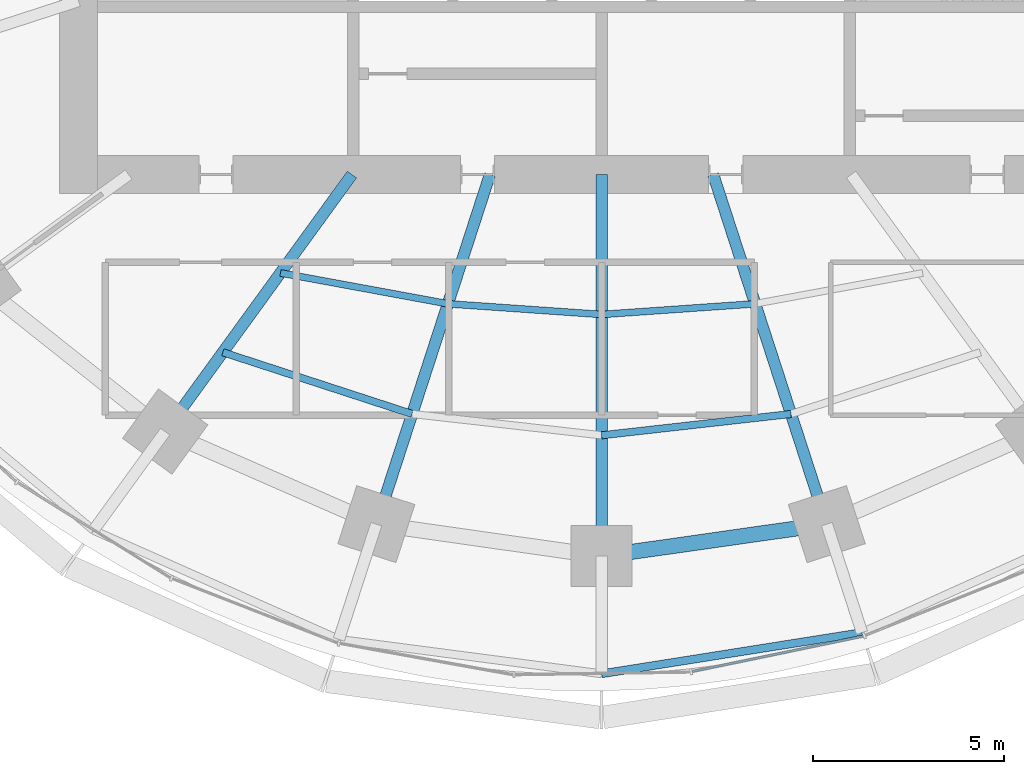
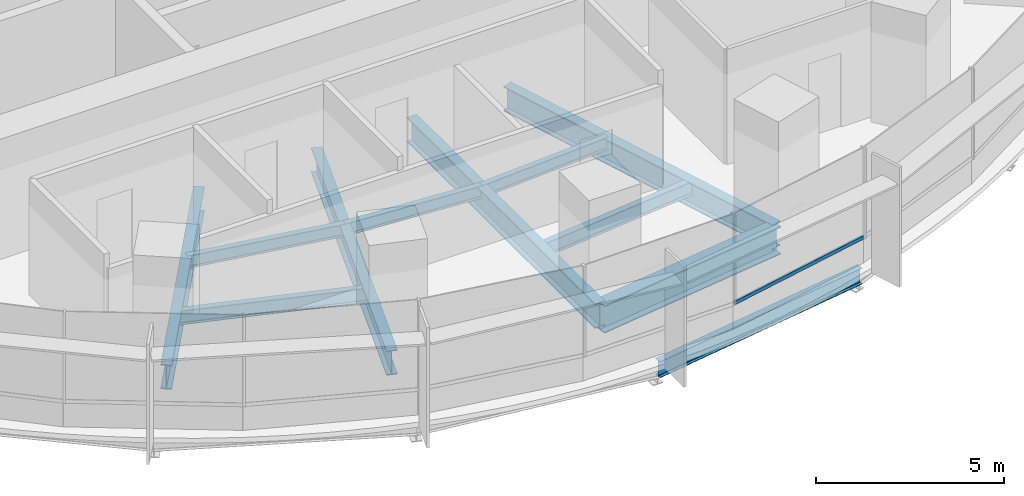
# One storey, part 3 of 14: 11 beams, 1 member, 1 element without a shape of its own.
"""IFC4 building model written with IfcOpenShell, lengths in metres."""

from ifc_helpers import new_model, si_unit, direction, frame, origin, origin_2d, place, context, subcontext, project, spatial, rectangle, i_section, extrude, material, material_profile, profile_set, type_object, element, aggregate, save


model = new_model("IFC4")

# Units and contexts
model_context = context("Model", 3, precision=1e-05, world=origin(), true_north=direction((0.0, 1.0)))
body_context = subcontext(model_context, "Body", "Model", "MODEL_VIEW")
ifc_project = project(units=[si_unit("LENGTHUNIT", "METRE"), si_unit("AREAUNIT", "SQUARE_METRE"), si_unit("VOLUMEUNIT", "CUBIC_METRE"), si_unit("PLANEANGLEUNIT", "RADIAN"), si_unit("MASSUNIT", "GRAM", prefix="KILO")], contexts=[model_context])

# Site, building, storey
site_placement = place(None, origin())
site = spatial("IfcSite", under=ifc_project, at=site_placement, CompositionType="ELEMENT")
building_placement = place(site_placement, origin())
building = spatial("IfcBuilding", under=site, at=building_placement, Name="Marramba Exchange Tower", CompositionType="ELEMENT")
storey_placement = place(building_placement, frame((0.0, 0.0, 143.10009765625)))
storey = spatial("IfcBuildingStorey", under=building, at=storey_placement, Name="L34", CompositionType="ELEMENT", Elevation=143.10009765625)

# Beams
ifc_material_1 = material(Name="Steel AS/NZS 3679.1 grade 300", Category="steel")
ifc_material_profile_1 = material_profile(ifc_material_1, i_section(OverallWidth=0.177978515625, OverallDepth=0.406005859375, WebThickness=0.0078125, FlangeThickness=0.0126953125, FilletRadius=0.011474609375, at=origin_2d()), Name="410UB59.7")
ifc_profile_set_1 = profile_set([ifc_material_profile_1], Name="Steel AS/NZS 3679.1 grade 300")
beam_type_1 = type_object("IfcBeamType", Name="Floor joist 410UB59.7", PredefinedType="JOIST", material=ifc_profile_set_1)
beam_1_placement = place(storey_placement, frame((-8.41162109375, -11.57763671875, -0.363037109375), z_axis=(0.983455754421, -0.181148500119, 0.0), x_axis=(0.181148500119, 0.983455754421, 0.0)))
element("IfcBeam", 1, at=beam_1_placement, inside=storey, type_object=beam_type_1, Name="Joist L34 bay 14 row 1", PredefinedType="JOIST", context=body_context, shape_type="SweptSolid", body=[
    extrude(i_section(OverallWidth=0.177978515625, OverallDepth=0.406005859375, WebThickness=0.0078125, FlangeThickness=0.0126953125, FilletRadius=0.011474609375, at=origin_2d()), origin(), (0.0, 0.0, 1.0), 4.4609375),
])
for number, where, z_axis, x_axis, name in (
    (2, (-4.0244140625, -12.3857421875, -0.363037109375), (0.99759625901, -0.069294328838, 0.0), (0.069294328838, 0.99759625901, 0.0), "Joist L34 bay 15 row 1"),
    (3, (0.0, -12.665283203125, -0.363037109375), (0.99759625901, 0.069294328838, 0.0), (-0.069294328838, 0.99759625901, 0.0), "Joist L34 bay 16 row 1"),
):
    element("IfcBeam", number, at=place(storey_placement, frame(where, z_axis=z_axis, x_axis=x_axis)), inside=storey, type_object=beam_type_1, Name=name, PredefinedType="JOIST", context=body_context, shape_type="SweptSolid", body=[
        extrude(i_section(OverallWidth=0.177978515625, OverallDepth=0.406005859375, WebThickness=0.0078125, FlangeThickness=0.0126953125, FilletRadius=0.011474609375, at=origin_2d()), origin(), (0.0, 0.0, 1.0), 4.0341796875),
    ])
ifc_material_profile_2 = material_profile(ifc_material_1, i_section(OverallWidth=0.18994140625, OverallDepth=0.4541015625, WebThickness=0.008544921875, FlangeThickness=0.0126953125, FilletRadius=0.011474609375, at=origin_2d()), Name="460UB67.1")
ifc_profile_set_2 = profile_set([ifc_material_profile_2], Name="Steel AS/NZS 3679.1 grade 300")
beam_type_2 = type_object("IfcBeamType", Name="Floor joist 460UB67.1", PredefinedType="JOIST", material=ifc_profile_set_2)
beam_2_placement = place(storey_placement, frame((-9.9208984375, -13.655029296875, -0.38720703125), z_axis=(0.950764024931, -0.309915744834, 0.0), x_axis=(0.309915744834, 0.950764024931, 0.0)))
element("IfcBeam", 4, at=beam_2_placement, inside=storey, type_object=beam_type_2, Name="Joist L34 bay 14 row 2", PredefinedType="JOIST", context=body_context, shape_type="SweptSolid", body=[
    extrude(i_section(OverallWidth=0.18994140625, OverallDepth=0.4541015625, WebThickness=0.008544921875, FlangeThickness=0.0126953125, FilletRadius=0.011474609375, at=origin_2d()), origin(), (0.0, 0.0, 1.0), 5.2158203125),
])
beam_3_placement = place(storey_placement, frame((0.0, -15.83056640625, -0.38720703125), z_axis=(0.993712018573, 0.111966174106, 0.0), x_axis=(-0.111966174106, 0.993712018573, 0.0)))
element("IfcBeam", 5, at=beam_3_placement, inside=storey, type_object=beam_type_2, Name="Joist L34 bay 16 row 2", PredefinedType="JOIST", context=body_context, shape_type="SweptSolid", body=[
    extrude(i_section(OverallWidth=0.18994140625, OverallDepth=0.4541015625, WebThickness=0.008544921875, FlangeThickness=0.0126953125, FilletRadius=0.011474609375, at=origin_2d()), origin(), (0.0, 0.0, 1.0), 4.993408203125),
])

# Curtain wall, member
ifc_material_2 = material(Name="Aluminium framing, bronze anodised", Category="aluminium")
curtain_wall_type = type_object("IfcCurtainWallType", Name="Office ribbon curtain wall", PredefinedType="USERDEFINED", material=ifc_material_2)
curtain_wall_placement = place(storey_placement, origin())
curtain_wall = element("IfcCurtainWall", 6, at=curtain_wall_placement, inside=storey, type_object=curtain_wall_type, Name="Curtain wall CW4 L34 F21-F25", ObjectType="RIBBON CURTAIN WALL", PredefinedType="USERDEFINED")
ifc_material_3 = material(Name="Aluminium transom, bronze anodised", Category="aluminium")
ifc_material_profile_3 = material_profile(ifc_material_3, rectangle(XDim=0.06005859375, YDim=0.1201171875, at=origin_2d()), Name="CW4 transom 60x120")
ifc_profile_set_3 = profile_set([ifc_material_profile_3], Name="Aluminium transom, bronze anodised")
member_type = type_object("IfcMemberType", Name="Office ribbon curtain wall transom", PredefinedType="USERDEFINED", material=ifc_profile_set_3)
member_placement = place(storey_placement, frame((2.374267578125, -22.017822265625, 0.829833984375), z_axis=(0.979310422034, 0.202363774661, 0.0), x_axis=(-0.202363774661, 0.979310422034, 0.0)))
member = element("IfcMember", 7, at=member_placement, type_object=member_type, Name="CW4 sill transom", ObjectType="TRANSOM", PredefinedType="USERDEFINED", context=body_context, shape_type="SweptSolid", body=[
    extrude(rectangle(XDim=0.06005859375, YDim=0.1201171875, at=origin_2d()), origin(), (0.0, 0.0, 1.0), 4.57373046875),
])
aggregate(curtain_wall, [member])

# Beams
ifc_material_4 = material(Name="Steel AS/NZS 3679.2 grade 300", Category="steel")
ifc_material_profile_4 = material_profile(ifc_material_4, i_section(OverallWidth=0.300048828125, OverallDepth=0.800048828125, WebThickness=0.013916015625, FlangeThickness=0.031982421875, at=origin_2d()), Name="800WB192")
ifc_profile_set_4 = profile_set([ifc_material_profile_4], Name="Steel AS/NZS 3679.2 grade 300")
beam_type_3 = type_object("IfcBeamType", Name="Radial girder 800WB192", PredefinedType="BEAM", material=ifc_profile_set_4)
beam_4_placement = place(storey_placement, frame((-6.538818359375, -9.0, -0.56005859375), z_axis=(-0.587787877172, -0.809015087282, 0.0), x_axis=(0.809015087282, -0.587787877172, 0.0)))
element("IfcBeam", 8, at=beam_4_placement, inside=storey, type_object=beam_type_3, Name="Radial girder L34 TC14", PredefinedType="BEAM", context=body_context, shape_type="SweptSolid", body=[
    extrude(i_section(OverallWidth=0.300048828125, OverallDepth=0.800048828125, WebThickness=0.013916015625, FlangeThickness=0.031982421875, at=origin_2d()), origin(), (0.0, 0.0, 1.0), 8.322021484375),
])
beam_5_placement = place(storey_placement, frame((-2.92431640625, -9.0, -0.56005859375), z_axis=(-0.309022428985, -0.951054750466, 0.0), x_axis=(0.951054750466, -0.309022428985, 0.0)))
element("IfcBeam", 9, at=beam_5_placement, inside=storey, type_object=beam_type_3, Name="Radial girder L34 TC15", PredefinedType="BEAM", context=body_context, shape_type="SweptSolid", body=[
    extrude(i_section(OverallWidth=0.300048828125, OverallDepth=0.800048828125, WebThickness=0.013916015625, FlangeThickness=0.031982421875, at=origin_2d()), origin(), (0.0, 0.0, 1.0), 9.628173828125),
])
beam_6_placement = place(storey_placement, frame((0.0, -9.0, -0.56005859375), z_axis=(0.0, -1.0, 0.0), x_axis=(1.0, 0.0, 0.0)))
element("IfcBeam", 10, at=beam_6_placement, inside=storey, type_object=beam_type_3, Name="Radial girder L34 TC16", PredefinedType="BEAM", context=body_context, shape_type="SweptSolid", body=[
    extrude(i_section(OverallWidth=0.300048828125, OverallDepth=0.800048828125, WebThickness=0.013916015625, FlangeThickness=0.031982421875, at=origin_2d()), origin(), (0.0, 0.0, 1.0), 9.99609375),
])
beam_7_placement = place(storey_placement, frame((2.92431640625, -9.0, -0.56005859375), z_axis=(0.309022428985, -0.951054750466, 0.0), x_axis=(0.951054750466, 0.309022428985, 0.0)))
element("IfcBeam", 11, at=beam_7_placement, inside=storey, type_object=beam_type_3, Name="Radial girder L34 TC17", PredefinedType="BEAM", context=body_context, shape_type="SweptSolid", body=[
    extrude(i_section(OverallWidth=0.300048828125, OverallDepth=0.800048828125, WebThickness=0.013916015625, FlangeThickness=0.031982421875, at=origin_2d()), origin(), (0.0, 0.0, 1.0), 9.628173828125),
])
ifc_material_profile_5 = material_profile(ifc_material_4, i_section(OverallWidth=0.39990234375, OverallDepth=0.89990234375, WebThickness=0.01611328125, FlangeThickness=0.031982421875, at=origin_2d()), Name="900WB282")
ifc_profile_set_5 = profile_set([ifc_material_profile_5], Name="Steel AS/NZS 3679.2 grade 300")
beam_type_4 = type_object("IfcBeamType", Name="Ring beam 900WB282", PredefinedType="SPANDREL", material=ifc_profile_set_5)
beam_8_placement = place(storey_placement, frame((0.0, -18.99609375, -0.610107421875), z_axis=(0.990036163016, 0.140813337152, 0.0), x_axis=(-0.140813337152, 0.990036163016, 0.0)))
element("IfcBeam", 12, at=beam_8_placement, inside=storey, type_object=beam_type_4, Name="Ring beam L34 TC16-TC17", PredefinedType="SPANDREL", context=body_context, shape_type="SweptSolid", body=[
    extrude(i_section(OverallWidth=0.39990234375, OverallDepth=0.89990234375, WebThickness=0.01611328125, FlangeThickness=0.031982421875, at=origin_2d()), origin(), (0.0, 0.0, 1.0), 5.958984375),
])
ifc_material_profile_6 = material_profile(ifc_material_1, i_section(OverallWidth=0.208984375, OverallDepth=0.528076171875, WebThickness=0.009521484375, FlangeThickness=0.01318359375, FilletRadius=0.013916015625, at=origin_2d()), Name="530UB82.0")
ifc_profile_set_6 = profile_set([ifc_material_profile_6], Name="Steel AS/NZS 3679.1 grade 300")
beam_type_5 = type_object("IfcBeamType", Name="Slab edge beam 530UB82.0", PredefinedType="SPANDREL", material=ifc_profile_set_6)
beam_9_placement = place(storey_placement, frame((0.0, -22.076904296875, -0.424072265625), z_axis=(0.987705008555, 0.15632919137, 0.0), x_axis=(-0.15632919137, 0.987705008555, 0.0)))
element("IfcBeam", 13, at=beam_9_placement, inside=storey, type_object=beam_type_5, Name="Slab edge beam L34 TC16-TC17", PredefinedType="SPANDREL", context=body_context, shape_type="SweptSolid", body=[
    extrude(i_section(OverallWidth=0.208984375, OverallDepth=0.528076171875, WebThickness=0.009521484375, FlangeThickness=0.01318359375, FilletRadius=0.013916015625, at=origin_2d()), origin(), (0.0, 0.0, 1.0), 6.907470703125),
])

save(model, "model.ifc")
